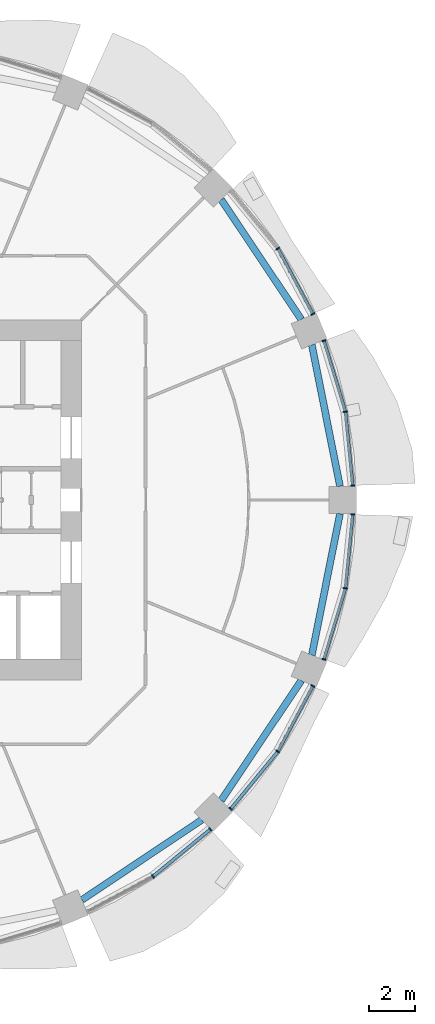
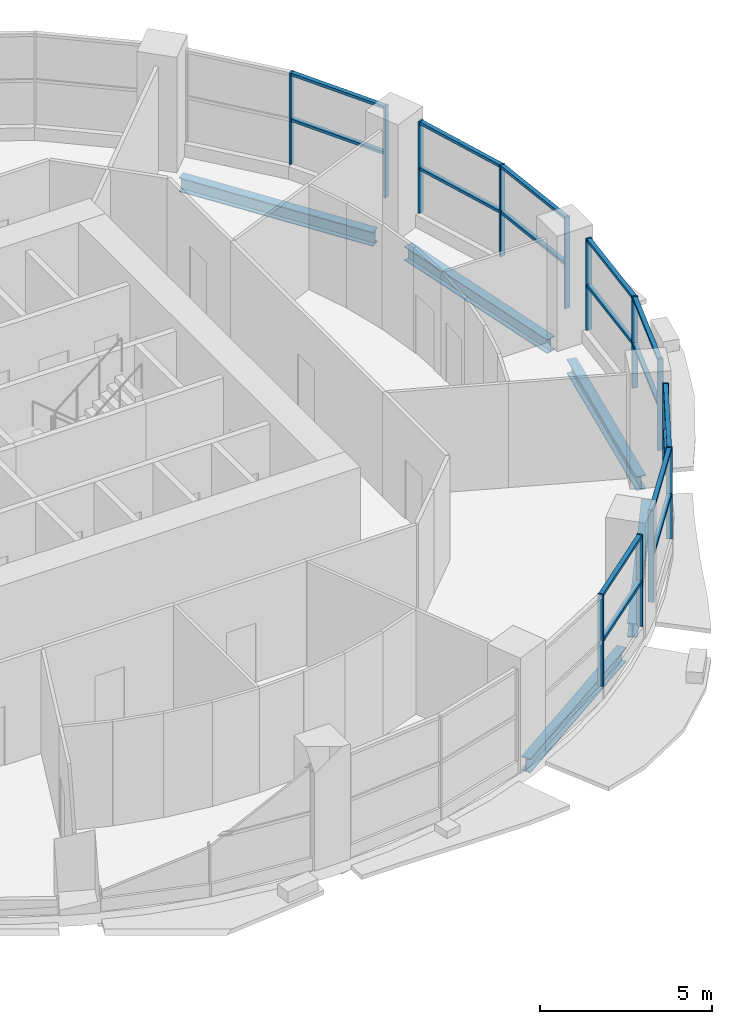
# One storey, part 4 of 14: 29 members, 5 beams, 5 elements without a shape of their own.
"""IFC4 building model written with IfcOpenShell, lengths in metres."""

from ifc_helpers import new_model, si_unit, direction, frame, origin, origin_2d, place, context, subcontext, project, spatial, rectangle, i_section, extrude, material, material_profile, profile_set, type_object, element, aggregate, save


model = new_model("IFC4")

# Units and contexts
model_context = context("Model", 3, precision=1e-05, world=origin(), true_north=direction((0.0, 1.0)))
body_context = subcontext(model_context, "Body", "Model", "MODEL_VIEW")
ifc_project = project(units=[si_unit("LENGTHUNIT", "METRE"), si_unit("AREAUNIT", "SQUARE_METRE"), si_unit("VOLUMEUNIT", "CUBIC_METRE"), si_unit("PLANEANGLEUNIT", "RADIAN"), si_unit("MASSUNIT", "GRAM", prefix="KILO")], contexts=[model_context])

# Site, building, storey
site_placement = place(None, origin())
site = spatial("IfcSite", under=ifc_project, at=site_placement, CompositionType="ELEMENT")
building_placement = place(site_placement, origin())
building = spatial("IfcBuilding", under=site, at=building_placement, Name="Polderwave Tower", CompositionType="ELEMENT")
storey_placement = place(building_placement, frame((0.0, 0.0, 14.39990234375)))
storey = spatial("IfcBuildingStorey", under=building, at=storey_placement, Name="L03", CompositionType="ELEMENT", Elevation=14.39990234375)

# Beams
ifc_material_1 = material(Name="Steel S355", Category="steel")
ifc_material_profile_1 = material_profile(ifc_material_1, i_section(OverallWidth=0.300048828125, OverallDepth=0.5, WebThickness=0.014404296875, FlangeThickness=0.028076171875, at=origin_2d()), Name="HE 500 B")
ifc_profile_set_1 = profile_set([ifc_material_profile_1], Name="Steel S355")
beam_type = type_object("IfcBeamType", Name="RING BEAM HE 500 B", PredefinedType="BEAM", material=ifc_profile_set_1)
for number, where, z_axis, x_axis, name in (
    (1, (19.170654296875, 0.60009765625, -0.64990234375), (-0.195102988285, 0.980782760841, 0.0), (-0.980782760841, -0.195102988285, 0.0), "ST-RB-L03-00"),
    (2, (17.481689453125, 7.890625, -0.64990234375), (-0.555566948836, 0.831471806715, 0.0), (-0.831471806715, -0.555566948836, 0.0), "ST-RB-L03-01"),
    (3, (7.890625, -17.481689453125, -0.64990234375), (0.831471806715, 0.555566948836, 0.0), (-0.555566948836, 0.831471806715, 0.0), "ST-RB-L03-13"),
    (4, (13.97998046875, -13.13134765625, -0.64990234375), (0.555566948836, 0.831471806715, 0.0), (-0.831471806715, 0.555566948836, 0.0), "ST-RB-L03-14"),
    (5, (17.94091796875, -6.781982421875, -0.64990234375), (0.195102988285, 0.980782760841, 0.0), (-0.980782760841, 0.195102988285, 0.0), "ST-RB-L03-15"),
):
    element("IfcBeam", number, at=place(storey_placement, frame(where, z_axis=z_axis, x_axis=x_axis)), inside=storey, type_object=beam_type, Name=name, PredefinedType="BEAM", context=body_context, shape_type="SweptSolid", body=[
        extrude(i_section(OverallWidth=0.300048828125, OverallDepth=0.5, WebThickness=0.014404296875, FlangeThickness=0.028076171875, at=origin_2d()), origin(), (0.0, 0.0, 1.0), 6.302978515625),
    ])

# Curtain wall, members
ifc_material_2 = material(Name="Aluminium 6063-T6 and glass", Category="aluminium")
curtain_wall_type = type_object("IfcCurtainWallType", Name="Shopfront glazing wall", PredefinedType="NOTDEFINED", material=ifc_material_2)
curtain_wall_1_placement = place(storey_placement, origin())
curtain_wall_1 = element("IfcCurtainWall", 6, at=curtain_wall_1_placement, inside=storey, type_object=curtain_wall_type, Name="CW1 L03 00", PredefinedType="NOTDEFINED")
ifc_material_3 = material(Name="Aluminium 6063-T6", Category="aluminium")
ifc_material_profile_2 = material_profile(ifc_material_3, rectangle(XDim=0.179931640625, YDim=0.06005859375, at=origin_2d()), Name="AL 60x180")
ifc_profile_set_2 = profile_set([ifc_material_profile_2], Name="Aluminium 6063-T6")
member_type_1 = type_object("IfcMemberType", Name="Shopfront glazing mullion 60x180", PredefinedType="MULLION", material=ifc_profile_set_2)
member_1_placement = place(storey_placement, frame((19.72802734375, 0.6298828125, 0.4501953125), z_axis=(0.0, 0.0, 1.0), x_axis=(-0.995190028453, -0.097963295511, 0.0)))
member_1 = element("IfcMember", 7, at=member_1_placement, type_object=member_type_1, Name="CW1 mullion 1", PredefinedType="MULLION", context=body_context, shape_type="SweptSolid", body=[
    extrude(rectangle(XDim=0.179931640625, YDim=0.06005859375, at=origin_2d()), origin(), (0.0, 0.0, 1.0), 3.25),
])
member_2_placement = place(storey_placement, frame((19.409912109375, 3.861083984375, 0.4501953125), z_axis=(0.0, 0.0, 1.0), x_axis=(-0.98079038752, -0.195064645051, 0.0)))
member_2 = element("IfcMember", 8, at=member_2_placement, type_object=member_type_1, Name="CW1 mullion 2", PredefinedType="MULLION", context=body_context, shape_type="SweptSolid", body=[
    extrude(rectangle(XDim=0.179931640625, YDim=0.06005859375, at=origin_2d()), origin(), (0.0, 0.0, 1.0), 3.25),
])
member_3_placement = place(storey_placement, frame((18.4677734375, 6.96728515625, 0.4501953125), z_axis=(0.0, 0.0, 1.0), x_axis=(-0.956939829088, -0.29028634743, 0.0)))
member_3 = element("IfcMember", 9, at=member_3_placement, type_object=member_type_1, Name="CW1 mullion 3", PredefinedType="MULLION", context=body_context, shape_type="SweptSolid", body=[
    extrude(rectangle(XDim=0.179931640625, YDim=0.06005859375, at=origin_2d()), origin(), (0.0, 0.0, 1.0), 3.25),
])

curtain_wall_2_placement = place(storey_placement, origin())
curtain_wall_2 = element("IfcCurtainWall", 10, at=curtain_wall_2_placement, inside=storey, type_object=curtain_wall_type, Name="CW1 L03 01", PredefinedType="NOTDEFINED")
member_4_placement = place(storey_placement, frame((17.98486328125, 8.131591796875, 0.4501953125), z_axis=(0.0, 0.0, 1.0), x_axis=(-0.882015039538, -0.471221253797, 0.0)))
member_4 = element("IfcMember", 11, at=member_4_placement, type_object=member_type_1, Name="CW1 mullion 1", PredefinedType="MULLION", context=body_context, shape_type="SweptSolid", body=[
    extrude(rectangle(XDim=0.179931640625, YDim=0.06005859375, at=origin_2d()), origin(), (0.0, 0.0, 1.0), 3.25),
])
member_5_placement = place(storey_placement, frame((16.455078125, 10.9951171875, 0.4501953125), z_axis=(0.0, 0.0, 1.0), x_axis=(-0.831510335494, -0.555509281621, 0.0)))
member_5 = element("IfcMember", 12, at=member_5_placement, type_object=member_type_1, Name="CW1 mullion 2", PredefinedType="MULLION", context=body_context, shape_type="SweptSolid", body=[
    extrude(rectangle(XDim=0.179931640625, YDim=0.06005859375, at=origin_2d()), origin(), (0.0, 0.0, 1.0), 3.25),
])

curtain_wall_3_placement = place(storey_placement, origin())
curtain_wall_3 = element("IfcCurtainWall", 13, at=curtain_wall_3_placement, inside=storey, type_object=curtain_wall_type, Name="CW1 L03 13", PredefinedType="NOTDEFINED")
member_6_placement = place(storey_placement, frame((10.9951171875, -16.455078125, 0.4501953125), z_axis=(0.0, 0.0, 1.0), x_axis=(-0.555509281621, 0.831510335494, 0.0)))
member_6 = element("IfcMember", 14, at=member_6_placement, type_object=member_type_1, Name="CW1 mullion 2", PredefinedType="MULLION", context=body_context, shape_type="SweptSolid", body=[
    extrude(rectangle(XDim=0.179931640625, YDim=0.06005859375, at=origin_2d()), origin(), (0.0, 0.0, 1.0), 3.25),
])
member_7_placement = place(storey_placement, frame((13.5048828125, -14.39501953125, 0.4501953125), z_axis=(0.0, 0.0, 1.0), x_axis=(-0.634433758027, 0.772977235548, 0.0)))
member_7 = element("IfcMember", 15, at=member_7_placement, type_object=member_type_1, Name="CW1 mullion 3", PredefinedType="MULLION", context=body_context, shape_type="SweptSolid", body=[
    extrude(rectangle(XDim=0.179931640625, YDim=0.06005859375, at=origin_2d()), origin(), (0.0, 0.0, 1.0), 3.25),
])

curtain_wall_4_placement = place(storey_placement, origin())
curtain_wall_4 = element("IfcCurtainWall", 16, at=curtain_wall_4_placement, inside=storey, type_object=curtain_wall_type, Name="CW1 L03 14", PredefinedType="NOTDEFINED")
member_8_placement = place(storey_placement, frame((14.39501953125, -13.5048828125, 0.4501953125), z_axis=(0.0, 0.0, 1.0), x_axis=(-0.772977235548, 0.634433758027, 0.0)))
member_8 = element("IfcMember", 17, at=member_8_placement, type_object=member_type_1, Name="CW1 mullion 1", PredefinedType="MULLION", context=body_context, shape_type="SweptSolid", body=[
    extrude(rectangle(XDim=0.179931640625, YDim=0.06005859375, at=origin_2d()), origin(), (0.0, 0.0, 1.0), 3.25),
])
member_9_placement = place(storey_placement, frame((16.455078125, -10.9951171875, 0.4501953125), z_axis=(0.0, 0.0, 1.0), x_axis=(-0.831510335494, 0.555509281621, 0.0)))
member_9 = element("IfcMember", 18, at=member_9_placement, type_object=member_type_1, Name="CW1 mullion 2", PredefinedType="MULLION", context=body_context, shape_type="SweptSolid", body=[
    extrude(rectangle(XDim=0.179931640625, YDim=0.06005859375, at=origin_2d()), origin(), (0.0, 0.0, 1.0), 3.25),
])
member_10_placement = place(storey_placement, frame((17.98486328125, -8.131591796875, 0.4501953125), z_axis=(0.0, 0.0, 1.0), x_axis=(-0.882015039538, 0.471221253797, 0.0)))
member_10 = element("IfcMember", 19, at=member_10_placement, type_object=member_type_1, Name="CW1 mullion 3", PredefinedType="MULLION", context=body_context, shape_type="SweptSolid", body=[
    extrude(rectangle(XDim=0.179931640625, YDim=0.06005859375, at=origin_2d()), origin(), (0.0, 0.0, 1.0), 3.25),
])

curtain_wall_5_placement = place(storey_placement, origin())
curtain_wall_5 = element("IfcCurtainWall", 20, at=curtain_wall_5_placement, inside=storey, type_object=curtain_wall_type, Name="CW1 L03 15", PredefinedType="NOTDEFINED")
member_11_placement = place(storey_placement, frame((18.4677734375, -6.96728515625, 0.4501953125), z_axis=(0.0, 0.0, 1.0), x_axis=(-0.956939829088, 0.29028634743, 0.0)))
member_11 = element("IfcMember", 21, at=member_11_placement, type_object=member_type_1, Name="CW1 mullion 1", PredefinedType="MULLION", context=body_context, shape_type="SweptSolid", body=[
    extrude(rectangle(XDim=0.179931640625, YDim=0.06005859375, at=origin_2d()), origin(), (0.0, 0.0, 1.0), 3.25),
])
member_12_placement = place(storey_placement, frame((19.409912109375, -3.861083984375, 0.4501953125), z_axis=(0.0, 0.0, 1.0), x_axis=(-0.98079038752, 0.195064645051, 0.0)))
member_12 = element("IfcMember", 22, at=member_12_placement, type_object=member_type_1, Name="CW1 mullion 2", PredefinedType="MULLION", context=body_context, shape_type="SweptSolid", body=[
    extrude(rectangle(XDim=0.179931640625, YDim=0.06005859375, at=origin_2d()), origin(), (0.0, 0.0, 1.0), 3.25),
])
member_13_placement = place(storey_placement, frame((19.72802734375, -0.6298828125, 0.4501953125), z_axis=(0.0, 0.0, 1.0), x_axis=(-0.995190028453, 0.097963295511, 0.0)))
member_13 = element("IfcMember", 23, at=member_13_placement, type_object=member_type_1, Name="CW1 mullion 3", PredefinedType="MULLION", context=body_context, shape_type="SweptSolid", body=[
    extrude(rectangle(XDim=0.179931640625, YDim=0.06005859375, at=origin_2d()), origin(), (0.0, 0.0, 1.0), 3.25),
])

# Member
ifc_material_profile_3 = material_profile(ifc_material_3, rectangle(XDim=0.139892578125, YDim=0.10009765625, at=origin_2d()), Name="AL 100x140")
ifc_profile_set_3 = profile_set([ifc_material_profile_3], Name="Aluminium 6063-T6")
member_type_2 = type_object("IfcMemberType", Name="Shopfront glazing transom 100x140", PredefinedType="USERDEFINED", material=ifc_profile_set_3)
member_14_placement = place(storey_placement, frame((19.72509765625, 0.65966796875, 2.025146484375), z_axis=(-0.097986537327, 0.99518774033, 0.0), x_axis=(-0.99518774033, -0.097986537327, 0.0)))
member_14 = element("IfcMember", 24, at=member_14_placement, type_object=member_type_2, Name="CW1 transom 1", ObjectType="TRANSOM", PredefinedType="USERDEFINED", context=body_context, shape_type="SweptSolid", body=[
    extrude(rectangle(XDim=0.139892578125, YDim=0.10009765625, at=origin_2d()), origin(), (0.0, 0.0, 1.0), 3.186767578125),
])

member_15_placement = place(storey_placement, frame((19.72509765625, 0.65966796875, 3.650146484375), z_axis=(-0.097986537327, 0.99518774033, 0.0), x_axis=(-0.99518774033, -0.097986537327, 0.0)))
member_15 = element("IfcMember", 25, at=member_15_placement, type_object=member_type_2, Name="CW1 transom 2", ObjectType="TRANSOM", PredefinedType="USERDEFINED", context=body_context, shape_type="SweptSolid", body=[
    extrude(rectangle(XDim=0.139892578125, YDim=0.10009765625, at=origin_2d()), origin(), (0.0, 0.0, 1.0), 3.186767578125),
])

member_16_placement = place(storey_placement, frame((19.4013671875, 3.8896484375, 2.025146484375), z_axis=(-0.29031998901, 0.956929623317, 0.0), x_axis=(-0.956929623317, -0.29031998901, 0.0)))
member_16 = element("IfcMember", 26, at=member_16_placement, type_object=member_type_2, Name="CW1 transom 3", ObjectType="TRANSOM", PredefinedType="USERDEFINED", context=body_context, shape_type="SweptSolid", body=[
    extrude(rectangle(XDim=0.139892578125, YDim=0.10009765625, at=origin_2d()), origin(), (0.0, 0.0, 1.0), 3.186279296875),
])

member_17_placement = place(storey_placement, frame((19.4013671875, 3.8896484375, 3.650146484375), z_axis=(-0.29031998901, 0.956929623317, 0.0), x_axis=(-0.956929623317, -0.29031998901, 0.0)))
member_17 = element("IfcMember", 27, at=member_17_placement, type_object=member_type_2, Name="CW1 transom 4", ObjectType="TRANSOM", PredefinedType="USERDEFINED", context=body_context, shape_type="SweptSolid", body=[
    extrude(rectangle(XDim=0.139892578125, YDim=0.10009765625, at=origin_2d()), origin(), (0.0, 0.0, 1.0), 3.186279296875),
])

aggregate(curtain_wall_1, [member_1, member_2, member_3, member_14, member_15, member_16, member_17])

member_18_placement = place(storey_placement, frame((17.970703125, 8.157958984375, 2.025146484375), z_axis=(-0.471260138764, 0.881994263934, 0.0), x_axis=(-0.881994263934, -0.471260138764, 0.0)))
member_18 = element("IfcMember", 28, at=member_18_placement, type_object=member_type_2, Name="CW1 transom 1", ObjectType="TRANSOM", PredefinedType="USERDEFINED", context=body_context, shape_type="SweptSolid", body=[
    extrude(rectangle(XDim=0.139892578125, YDim=0.10009765625, at=origin_2d()), origin(), (0.0, 0.0, 1.0), 3.1865234375),
])

member_19_placement = place(storey_placement, frame((17.970703125, 8.157958984375, 3.650146484375), z_axis=(-0.471260138764, 0.881994263934, 0.0), x_axis=(-0.881994263934, -0.471260138764, 0.0)))
member_19 = element("IfcMember", 29, at=member_19_placement, type_object=member_type_2, Name="CW1 transom 2", ObjectType="TRANSOM", PredefinedType="USERDEFINED", context=body_context, shape_type="SweptSolid", body=[
    extrude(rectangle(XDim=0.139892578125, YDim=0.10009765625, at=origin_2d()), origin(), (0.0, 0.0, 1.0), 3.1865234375),
])

aggregate(curtain_wall_2, [member_4, member_5, member_18, member_19])

member_20_placement = place(storey_placement, frame((11.018310546875, -16.43603515625, 2.025146484375), z_axis=(0.772959697488, 0.634455125331, 0.0), x_axis=(-0.634455125331, 0.772959697488, 0.0)))
member_20 = element("IfcMember", 30, at=member_20_placement, type_object=member_type_2, Name="CW1 transom 3", ObjectType="TRANSOM", PredefinedType="USERDEFINED", context=body_context, shape_type="SweptSolid", body=[
    extrude(rectangle(XDim=0.139892578125, YDim=0.10009765625, at=origin_2d()), origin(), (0.0, 0.0, 1.0), 3.18701171875),
])

member_21_placement = place(storey_placement, frame((11.018310546875, -16.43603515625, 3.650146484375), z_axis=(0.772959697488, 0.634455125331, 0.0), x_axis=(-0.634455125331, 0.772959697488, 0.0)))
member_21 = element("IfcMember", 31, at=member_21_placement, type_object=member_type_2, Name="CW1 transom 4", ObjectType="TRANSOM", PredefinedType="USERDEFINED", context=body_context, shape_type="SweptSolid", body=[
    extrude(rectangle(XDim=0.139892578125, YDim=0.10009765625, at=origin_2d()), origin(), (0.0, 0.0, 1.0), 3.18701171875),
])

aggregate(curtain_wall_3, [member_6, member_7, member_20, member_21])

member_22_placement = place(storey_placement, frame((14.4140625, -13.481689453125, 2.025146484375), z_axis=(0.634455125331, 0.772959697488, 0.0), x_axis=(-0.772959697488, 0.634455125331, 0.0)))
member_22 = element("IfcMember", 32, at=member_22_placement, type_object=member_type_2, Name="CW1 transom 1", ObjectType="TRANSOM", PredefinedType="USERDEFINED", context=body_context, shape_type="SweptSolid", body=[
    extrude(rectangle(XDim=0.139892578125, YDim=0.10009765625, at=origin_2d()), origin(), (0.0, 0.0, 1.0), 3.18701171875),
])

member_23_placement = place(storey_placement, frame((14.4140625, -13.481689453125, 3.650146484375), z_axis=(0.634455125331, 0.772959697488, 0.0), x_axis=(-0.772959697488, 0.634455125331, 0.0)))
member_23 = element("IfcMember", 33, at=member_23_placement, type_object=member_type_2, Name="CW1 transom 2", ObjectType="TRANSOM", PredefinedType="USERDEFINED", context=body_context, shape_type="SweptSolid", body=[
    extrude(rectangle(XDim=0.139892578125, YDim=0.10009765625, at=origin_2d()), origin(), (0.0, 0.0, 1.0), 3.18701171875),
])

member_24_placement = place(storey_placement, frame((16.468994140625, -10.968505859375, 2.025146484375), z_axis=(0.471260138764, 0.881994263934, 0.0), x_axis=(-0.881994263934, 0.471260138764, 0.0)))
member_24 = element("IfcMember", 34, at=member_24_placement, type_object=member_type_2, Name="CW1 transom 3", ObjectType="TRANSOM", PredefinedType="USERDEFINED", context=body_context, shape_type="SweptSolid", body=[
    extrude(rectangle(XDim=0.139892578125, YDim=0.10009765625, at=origin_2d()), origin(), (0.0, 0.0, 1.0), 3.1865234375),
])

member_25_placement = place(storey_placement, frame((16.468994140625, -10.968505859375, 3.650146484375), z_axis=(0.471260138764, 0.881994263934, 0.0), x_axis=(-0.881994263934, 0.471260138764, 0.0)))
member_25 = element("IfcMember", 35, at=member_25_placement, type_object=member_type_2, Name="CW1 transom 4", ObjectType="TRANSOM", PredefinedType="USERDEFINED", context=body_context, shape_type="SweptSolid", body=[
    extrude(rectangle(XDim=0.139892578125, YDim=0.10009765625, at=origin_2d()), origin(), (0.0, 0.0, 1.0), 3.1865234375),
])

aggregate(curtain_wall_4, [member_8, member_9, member_10, member_22, member_23, member_24, member_25])

member_26_placement = place(storey_placement, frame((18.476318359375, -6.938720703125, 2.025146484375), z_axis=(0.29031998901, 0.956929623317, 0.0), x_axis=(-0.956929623317, 0.29031998901, 0.0)))
member_26 = element("IfcMember", 36, at=member_26_placement, type_object=member_type_2, Name="CW1 transom 1", ObjectType="TRANSOM", PredefinedType="USERDEFINED", context=body_context, shape_type="SweptSolid", body=[
    extrude(rectangle(XDim=0.139892578125, YDim=0.10009765625, at=origin_2d()), origin(), (0.0, 0.0, 1.0), 3.186279296875),
])

member_27_placement = place(storey_placement, frame((18.476318359375, -6.938720703125, 3.650146484375), z_axis=(0.29031998901, 0.956929623317, 0.0), x_axis=(-0.956929623317, 0.29031998901, 0.0)))
member_27 = element("IfcMember", 37, at=member_27_placement, type_object=member_type_2, Name="CW1 transom 2", ObjectType="TRANSOM", PredefinedType="USERDEFINED", context=body_context, shape_type="SweptSolid", body=[
    extrude(rectangle(XDim=0.139892578125, YDim=0.10009765625, at=origin_2d()), origin(), (0.0, 0.0, 1.0), 3.186279296875),
])

member_28_placement = place(storey_placement, frame((19.412841796875, -3.8310546875, 2.025146484375), z_axis=(0.097986537327, 0.99518774033, 0.0), x_axis=(-0.99518774033, 0.097986537327, 0.0)))
member_28 = element("IfcMember", 38, at=member_28_placement, type_object=member_type_2, Name="CW1 transom 3", ObjectType="TRANSOM", PredefinedType="USERDEFINED", context=body_context, shape_type="SweptSolid", body=[
    extrude(rectangle(XDim=0.139892578125, YDim=0.10009765625, at=origin_2d()), origin(), (0.0, 0.0, 1.0), 3.186767578125),
])

member_29_placement = place(storey_placement, frame((19.412841796875, -3.8310546875, 3.650146484375), z_axis=(0.097986537327, 0.99518774033, 0.0), x_axis=(-0.99518774033, 0.097986537327, 0.0)))
member_29 = element("IfcMember", 39, at=member_29_placement, type_object=member_type_2, Name="CW1 transom 4", ObjectType="TRANSOM", PredefinedType="USERDEFINED", context=body_context, shape_type="SweptSolid", body=[
    extrude(rectangle(XDim=0.139892578125, YDim=0.10009765625, at=origin_2d()), origin(), (0.0, 0.0, 1.0), 3.186767578125),
])

aggregate(curtain_wall_5, [member_11, member_12, member_13, member_26, member_27, member_28, member_29])

save(model, "model.ifc")
